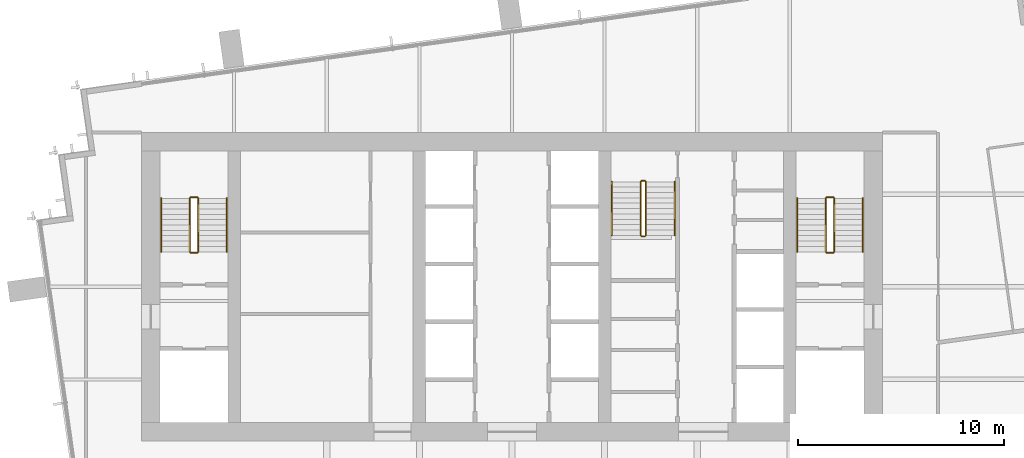
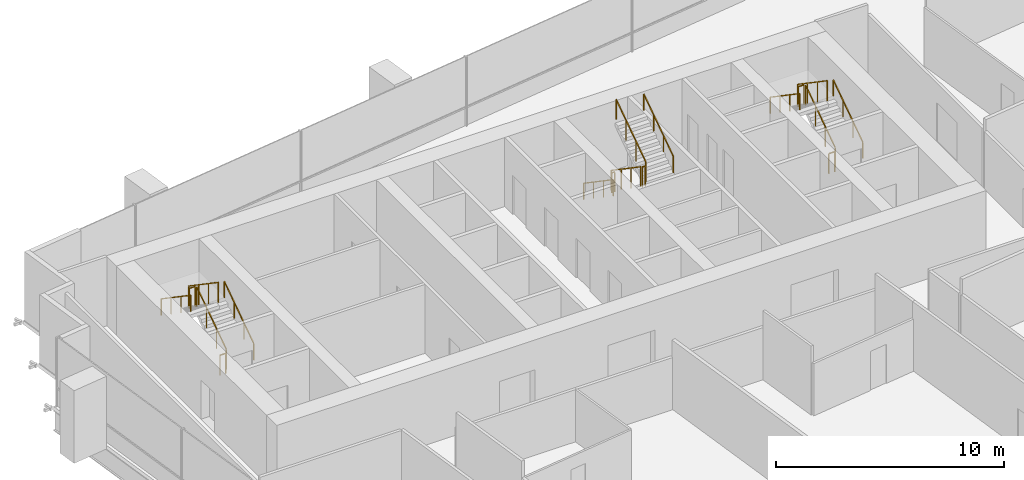
# One storey, part 13 of 13: 18 railings.
"""IFC4 building model written with IfcOpenShell, lengths in metres."""

from ifc_helpers import new_model, si_unit, direction, frame, origin, origin_2d, place, context, subcontext, project, spatial, rectangle, extrude, material, type_object, element, save


model = new_model("IFC4")

# Units and contexts
model_context = context("Model", 3, precision=1e-05, world=origin(), true_north=direction((0.0, 1.0)))
body_context = subcontext(model_context, "Body", "Model", "MODEL_VIEW")
ifc_project = project(units=[si_unit("LENGTHUNIT", "METRE"), si_unit("AREAUNIT", "SQUARE_METRE"), si_unit("VOLUMEUNIT", "CUBIC_METRE"), si_unit("PLANEANGLEUNIT", "RADIAN"), si_unit("MASSUNIT", "GRAM", prefix="KILO")], contexts=[model_context])

# Site, building, storey
site_placement = place(None, origin())
site = spatial("IfcSite", under=ifc_project, at=site_placement, CompositionType="ELEMENT")
building_placement = place(site_placement, origin())
building = spatial("IfcBuilding", under=site, at=building_placement, Name="Rattan Terrace Tower", CompositionType="ELEMENT")
storey_placement = place(building_placement, frame((0.0, 0.0, 240.800048828125)))
storey = spatial("IfcBuildingStorey", under=building, at=storey_placement, Name="L55", CompositionType="ELEMENT", Elevation=240.800048828125)

# Railings
ifc_material_1 = material(Name="Powder-coated steel guard", Category="steel")
railing_type_1 = type_object("IfcRailingType", Name="Core stair guard", PredefinedType="GUARDRAIL", material=ifc_material_1)
railing_1_placement = place(storey_placement, frame((-15.25, 1.699951171875, 0.17724609375)))
element("IfcRailing", 1, at=railing_1_placement, inside=storey, type_object=railing_type_1, Name="L55 S1 stair guard 1", PredefinedType="GUARDRAIL", context=body_context, shape_type="SweptSolid", body=[
    extrude(rectangle(XDim=0.048095703125, YDim=0.048095703125, at=origin_2d()), frame((0.0, 0.0, 1.076171875), z_axis=(0.0, 0.826240473404, 0.563317565952), x_axis=(-1.0, 0.0, 0.0)), (0.0, 0.0, 1.0), 3.14697265625),
    extrude(rectangle(XDim=0.0419921875, YDim=0.0419921875, at=origin_2d()), origin(), (0.0, 0.0, 1.0), 1.052001953125),
    extrude(rectangle(XDim=0.0419921875, YDim=0.0419921875, at=origin_2d()), frame((0.0, 0.86669921875, 0.5908203125)), (0.0, 0.0, 1.0), 1.052001953125),
    extrude(rectangle(XDim=0.0419921875, YDim=0.0419921875, at=origin_2d()), frame((0.0, 1.7333984375, 1.181884765625)), (0.0, 0.0, 1.0), 1.052001953125),
    extrude(rectangle(XDim=0.0419921875, YDim=0.0419921875, at=origin_2d()), frame((0.0, 2.60009765625, 1.772705078125)), (0.0, 0.0, 1.0), 1.052001953125),
])
railing_2_placement = place(storey_placement, frame((-15.300048828125, 4.35009765625, 1.949951171875)))
element("IfcRailing", 2, at=railing_2_placement, inside=storey, type_object=railing_type_1, Name="L55 S1 stair guard 2", PredefinedType="GUARDRAIL", context=body_context, shape_type="SweptSolid", body=[
    extrude(rectangle(XDim=0.048095703125, YDim=0.048095703125, at=origin_2d()), frame((0.0, 0.0, 1.076171875), z_axis=(-1.0, 0.0, 0.0), x_axis=(0.0, -1.0, 0.0)), (0.0, 0.0, 1.0), 0.300048828125),
    extrude(rectangle(XDim=0.0419921875, YDim=0.0419921875, at=origin_2d()), origin(), (0.0, 0.0, 1.0), 1.052001953125),
    extrude(rectangle(XDim=0.0419921875, YDim=0.0419921875, at=origin_2d()), frame((-0.300048828125, 0.0, 0.0)), (0.0, 0.0, 1.0), 1.052001953125),
])
railing_3_placement = place(storey_placement, frame((-15.64990234375, 4.300048828125, 2.127197265625)))
element("IfcRailing", 3, at=railing_3_placement, inside=storey, type_object=railing_type_1, Name="L55 S1 stair guard 3", PredefinedType="GUARDRAIL", context=body_context, shape_type="SweptSolid", body=[
    extrude(rectangle(XDim=0.048095703125, YDim=0.048095703125, at=origin_2d()), frame((0.0, 0.0, 1.076171875), z_axis=(0.0, -0.826240473404, 0.563317565952), x_axis=(1.0, 0.0, 0.0)), (0.0, 0.0, 1.0), 3.14697265625),
    extrude(rectangle(XDim=0.0419921875, YDim=0.0419921875, at=origin_2d()), origin(), (0.0, 0.0, 1.0), 1.052001953125),
    extrude(rectangle(XDim=0.0419921875, YDim=0.0419921875, at=origin_2d()), frame((0.0, -0.86669921875, 0.5908203125)), (0.0, 0.0, 1.0), 1.052001953125),
    extrude(rectangle(XDim=0.0419921875, YDim=0.0419921875, at=origin_2d()), frame((0.0, -1.7333984375, 1.181884765625)), (0.0, 0.0, 1.0), 1.052001953125),
    extrude(rectangle(XDim=0.0419921875, YDim=0.0419921875, at=origin_2d()), frame((0.0, -2.60009765625, 1.772705078125)), (0.0, 0.0, 1.0), 1.052001953125),
])
railing_4_placement = place(storey_placement, frame((-15.300048828125, 1.64990234375, 0.0)))
element("IfcRailing", 4, at=railing_4_placement, inside=storey, type_object=railing_type_1, Name="L55 S1 stair guard 4", PredefinedType="GUARDRAIL", context=body_context, shape_type="SweptSolid", body=[
    extrude(rectangle(XDim=0.048095703125, YDim=0.048095703125, at=origin_2d()), frame((0.0, 0.0, 1.076171875), z_axis=(-1.0, 0.0, 0.0), x_axis=(0.0, -1.0, 0.0)), (0.0, 0.0, 1.0), 0.300048828125),
    extrude(rectangle(XDim=0.0419921875, YDim=0.0419921875, at=origin_2d()), origin(), (0.0, 0.0, 1.0), 1.052001953125),
    extrude(rectangle(XDim=0.0419921875, YDim=0.0419921875, at=origin_2d()), frame((-0.300048828125, 0.0, 0.0)), (0.0, 0.0, 1.0), 1.052001953125),
])
railing_5_placement = place(storey_placement, frame((15.64990234375, 1.699951171875, 0.17724609375)))
element("IfcRailing", 5, at=railing_5_placement, inside=storey, type_object=railing_type_1, Name="L55 S2 stair guard 1", PredefinedType="GUARDRAIL", context=body_context, shape_type="SweptSolid", body=[
    extrude(rectangle(XDim=0.048095703125, YDim=0.048095703125, at=origin_2d()), frame((0.0, 0.0, 1.076171875), z_axis=(0.0, 0.826240473404, 0.563317565952), x_axis=(-1.0, 0.0, 0.0)), (0.0, 0.0, 1.0), 3.14697265625),
    extrude(rectangle(XDim=0.0419921875, YDim=0.0419921875, at=origin_2d()), origin(), (0.0, 0.0, 1.0), 1.052001953125),
    extrude(rectangle(XDim=0.0419921875, YDim=0.0419921875, at=origin_2d()), frame((0.0, 0.86669921875, 0.5908203125)), (0.0, 0.0, 1.0), 1.052001953125),
    extrude(rectangle(XDim=0.0419921875, YDim=0.0419921875, at=origin_2d()), frame((0.0, 1.7333984375, 1.181884765625)), (0.0, 0.0, 1.0), 1.052001953125),
    extrude(rectangle(XDim=0.0419921875, YDim=0.0419921875, at=origin_2d()), frame((0.0, 2.60009765625, 1.772705078125)), (0.0, 0.0, 1.0), 1.052001953125),
])
railing_6_placement = place(storey_placement, frame((15.60009765625, 4.35009765625, 1.949951171875)))
element("IfcRailing", 6, at=railing_6_placement, inside=storey, type_object=railing_type_1, Name="L55 S2 stair guard 2", PredefinedType="GUARDRAIL", context=body_context, shape_type="SweptSolid", body=[
    extrude(rectangle(XDim=0.048095703125, YDim=0.048095703125, at=origin_2d()), frame((0.0, 0.0, 1.076171875), z_axis=(-1.0, 0.0, 0.0), x_axis=(0.0, -1.0, 0.0)), (0.0, 0.0, 1.0), 0.300048828125),
    extrude(rectangle(XDim=0.0419921875, YDim=0.0419921875, at=origin_2d()), origin(), (0.0, 0.0, 1.0), 1.052001953125),
    extrude(rectangle(XDim=0.0419921875, YDim=0.0419921875, at=origin_2d()), frame((-0.300048828125, 0.0, 0.0)), (0.0, 0.0, 1.0), 1.052001953125),
])
railing_7_placement = place(storey_placement, frame((15.25, 4.300048828125, 2.127197265625)))
element("IfcRailing", 7, at=railing_7_placement, inside=storey, type_object=railing_type_1, Name="L55 S2 stair guard 3", PredefinedType="GUARDRAIL", context=body_context, shape_type="SweptSolid", body=[
    extrude(rectangle(XDim=0.048095703125, YDim=0.048095703125, at=origin_2d()), frame((0.0, 0.0, 1.076171875), z_axis=(0.0, -0.826240473404, 0.563317565952), x_axis=(1.0, 0.0, 0.0)), (0.0, 0.0, 1.0), 3.14697265625),
    extrude(rectangle(XDim=0.0419921875, YDim=0.0419921875, at=origin_2d()), origin(), (0.0, 0.0, 1.0), 1.052001953125),
    extrude(rectangle(XDim=0.0419921875, YDim=0.0419921875, at=origin_2d()), frame((0.0, -0.86669921875, 0.5908203125)), (0.0, 0.0, 1.0), 1.052001953125),
    extrude(rectangle(XDim=0.0419921875, YDim=0.0419921875, at=origin_2d()), frame((0.0, -1.7333984375, 1.181884765625)), (0.0, 0.0, 1.0), 1.052001953125),
    extrude(rectangle(XDim=0.0419921875, YDim=0.0419921875, at=origin_2d()), frame((0.0, -2.60009765625, 1.772705078125)), (0.0, 0.0, 1.0), 1.052001953125),
])
railing_8_placement = place(storey_placement, frame((15.60009765625, 1.64990234375, 0.0)))
element("IfcRailing", 8, at=railing_8_placement, inside=storey, type_object=railing_type_1, Name="L55 S2 stair guard 4", PredefinedType="GUARDRAIL", context=body_context, shape_type="SweptSolid", body=[
    extrude(rectangle(XDim=0.048095703125, YDim=0.048095703125, at=origin_2d()), frame((0.0, 0.0, 1.076171875), z_axis=(-1.0, 0.0, 0.0), x_axis=(0.0, -1.0, 0.0)), (0.0, 0.0, 1.0), 0.300048828125),
    extrude(rectangle(XDim=0.0419921875, YDim=0.0419921875, at=origin_2d()), origin(), (0.0, 0.0, 1.0), 1.052001953125),
    extrude(rectangle(XDim=0.0419921875, YDim=0.0419921875, at=origin_2d()), frame((-0.300048828125, 0.0, 0.0)), (0.0, 0.0, 1.0), 1.052001953125),
])
railing_9_placement = place(storey_placement, frame((6.25, 5.10009765625, 0.17724609375)))
element("IfcRailing", 9, at=railing_9_placement, inside=storey, type_object=railing_type_1, Name="L55 S3 stair guard 1", PredefinedType="GUARDRAIL", context=body_context, shape_type="SweptSolid", body=[
    extrude(rectangle(XDim=0.048095703125, YDim=0.048095703125, at=origin_2d()), frame((0.0, 0.0, 1.076171875), z_axis=(0.0, -0.826240473404, 0.563317565952), x_axis=(1.0, 0.0, 0.0)), (0.0, 0.0, 1.0), 3.14697265625),
    extrude(rectangle(XDim=0.0419921875, YDim=0.0419921875, at=origin_2d()), origin(), (0.0, 0.0, 1.0), 1.052001953125),
    extrude(rectangle(XDim=0.0419921875, YDim=0.0419921875, at=origin_2d()), frame((0.0, -0.86669921875, 0.5908203125)), (0.0, 0.0, 1.0), 1.052001953125),
    extrude(rectangle(XDim=0.0419921875, YDim=0.0419921875, at=origin_2d()), frame((0.0, -1.7333984375, 1.181884765625)), (0.0, 0.0, 1.0), 1.052001953125),
    extrude(rectangle(XDim=0.0419921875, YDim=0.0419921875, at=origin_2d()), frame((0.0, -2.60009765625, 1.772705078125)), (0.0, 0.0, 1.0), 1.052001953125),
])
railing_10_placement = place(storey_placement, frame((6.300048828125, 2.449951171875, 1.949951171875)))
element("IfcRailing", 10, at=railing_10_placement, inside=storey, type_object=railing_type_1, Name="L55 S3 stair guard 2", PredefinedType="GUARDRAIL", context=body_context, shape_type="SweptSolid", body=[
    extrude(rectangle(XDim=0.048095703125, YDim=0.048095703125, at=origin_2d()), frame((0.0, 0.0, 1.076171875), z_axis=(1.0, 0.0, 0.0), x_axis=(0.0, 1.0, 0.0)), (0.0, 0.0, 1.0), 0.14990234375),
    extrude(rectangle(XDim=0.0419921875, YDim=0.0419921875, at=origin_2d()), origin(), (0.0, 0.0, 1.0), 1.052001953125),
    extrude(rectangle(XDim=0.0419921875, YDim=0.0419921875, at=origin_2d()), frame((0.14990234375, 0.0, 0.0)), (0.0, 0.0, 1.0), 1.052001953125),
])
railing_11_placement = place(storey_placement, frame((6.5, 2.5, 2.127197265625)))
element("IfcRailing", 11, at=railing_11_placement, inside=storey, type_object=railing_type_1, Name="L55 S3 stair guard 3", PredefinedType="GUARDRAIL", context=body_context, shape_type="SweptSolid", body=[
    extrude(rectangle(XDim=0.048095703125, YDim=0.048095703125, at=origin_2d()), frame((0.0, 0.0, 1.076171875), z_axis=(0.0, 0.826240473404, 0.563317565952), x_axis=(-1.0, 0.0, 0.0)), (0.0, 0.0, 1.0), 3.14697265625),
    extrude(rectangle(XDim=0.0419921875, YDim=0.0419921875, at=origin_2d()), origin(), (0.0, 0.0, 1.0), 1.052001953125),
    extrude(rectangle(XDim=0.0419921875, YDim=0.0419921875, at=origin_2d()), frame((0.0, 0.86669921875, 0.5908203125)), (0.0, 0.0, 1.0), 1.052001953125),
    extrude(rectangle(XDim=0.0419921875, YDim=0.0419921875, at=origin_2d()), frame((0.0, 1.7333984375, 1.181884765625)), (0.0, 0.0, 1.0), 1.052001953125),
    extrude(rectangle(XDim=0.0419921875, YDim=0.0419921875, at=origin_2d()), frame((0.0, 2.60009765625, 1.772705078125)), (0.0, 0.0, 1.0), 1.052001953125),
])
railing_12_placement = place(storey_placement, frame((6.300048828125, 5.14990234375, 0.0)))
element("IfcRailing", 12, at=railing_12_placement, inside=storey, type_object=railing_type_1, Name="L55 S3 stair guard 4", PredefinedType="GUARDRAIL", context=body_context, shape_type="SweptSolid", body=[
    extrude(rectangle(XDim=0.048095703125, YDim=0.048095703125, at=origin_2d()), frame((0.0, 0.0, 1.076171875), z_axis=(1.0, 0.0, 0.0), x_axis=(0.0, 1.0, 0.0)), (0.0, 0.0, 1.0), 0.14990234375),
    extrude(rectangle(XDim=0.0419921875, YDim=0.0419921875, at=origin_2d()), origin(), (0.0, 0.0, 1.0), 1.052001953125),
    extrude(rectangle(XDim=0.0419921875, YDim=0.0419921875, at=origin_2d()), frame((0.14990234375, 0.0, 0.0)), (0.0, 0.0, 1.0), 1.052001953125),
])
ifc_material_2 = material(Name="Powder-coated steel handrail", Category="steel")
railing_type_2 = type_object("IfcRailingType", Name="Core stair handrail", PredefinedType="HANDRAIL", material=ifc_material_2)
railing_13_placement = place(storey_placement, frame((-13.85009765625, 1.699951171875, 0.17724609375)))
element("IfcRailing", 13, at=railing_13_placement, inside=storey, type_object=railing_type_2, Name="L55 S1 stair handrail 1", PredefinedType="HANDRAIL", context=body_context, shape_type="SweptSolid", body=[
    extrude(rectangle(XDim=0.048095703125, YDim=0.048095703125, at=origin_2d()), frame((0.0, 0.0, 0.8759765625), z_axis=(0.0, 0.826240473404, 0.563317565952), x_axis=(-1.0, 0.0, 0.0)), (0.0, 0.0, 1.0), 3.14697265625),
    extrude(rectangle(XDim=0.0419921875, YDim=0.0419921875, at=origin_2d()), origin(), (0.0, 0.0, 1.0), 0.851806640625),
    extrude(rectangle(XDim=0.0419921875, YDim=0.0419921875, at=origin_2d()), frame((0.0, 0.86669921875, 0.5908203125)), (0.0, 0.0, 1.0), 0.851806640625),
    extrude(rectangle(XDim=0.0419921875, YDim=0.0419921875, at=origin_2d()), frame((0.0, 1.7333984375, 1.181884765625)), (0.0, 0.0, 1.0), 0.851806640625),
    extrude(rectangle(XDim=0.0419921875, YDim=0.0419921875, at=origin_2d()), frame((0.0, 2.60009765625, 1.772705078125)), (0.0, 0.0, 1.0), 0.851806640625),
])
railing_14_placement = place(storey_placement, frame((-17.050048828125, 4.300048828125, 2.127197265625)))
element("IfcRailing", 14, at=railing_14_placement, inside=storey, type_object=railing_type_2, Name="L55 S1 stair handrail 2", PredefinedType="HANDRAIL", context=body_context, shape_type="SweptSolid", body=[
    extrude(rectangle(XDim=0.048095703125, YDim=0.048095703125, at=origin_2d()), frame((0.0, 0.0, 0.8759765625), z_axis=(0.0, -0.826240473404, 0.563317565952), x_axis=(1.0, 0.0, 0.0)), (0.0, 0.0, 1.0), 3.14697265625),
    extrude(rectangle(XDim=0.0419921875, YDim=0.0419921875, at=origin_2d()), origin(), (0.0, 0.0, 1.0), 0.851806640625),
    extrude(rectangle(XDim=0.0419921875, YDim=0.0419921875, at=origin_2d()), frame((0.0, -0.86669921875, 0.5908203125)), (0.0, 0.0, 1.0), 0.851806640625),
    extrude(rectangle(XDim=0.0419921875, YDim=0.0419921875, at=origin_2d()), frame((0.0, -1.7333984375, 1.181884765625)), (0.0, 0.0, 1.0), 0.851806640625),
    extrude(rectangle(XDim=0.0419921875, YDim=0.0419921875, at=origin_2d()), frame((0.0, -2.60009765625, 1.772705078125)), (0.0, 0.0, 1.0), 0.851806640625),
])
railing_15_placement = place(storey_placement, frame((17.050048828125, 1.699951171875, 0.17724609375)))
element("IfcRailing", 15, at=railing_15_placement, inside=storey, type_object=railing_type_2, Name="L55 S2 stair handrail 1", PredefinedType="HANDRAIL", context=body_context, shape_type="SweptSolid", body=[
    extrude(rectangle(XDim=0.048095703125, YDim=0.048095703125, at=origin_2d()), frame((0.0, 0.0, 0.8759765625), z_axis=(0.0, 0.826240473404, 0.563317565952), x_axis=(-1.0, 0.0, 0.0)), (0.0, 0.0, 1.0), 3.14697265625),
    extrude(rectangle(XDim=0.0419921875, YDim=0.0419921875, at=origin_2d()), origin(), (0.0, 0.0, 1.0), 0.851806640625),
    extrude(rectangle(XDim=0.0419921875, YDim=0.0419921875, at=origin_2d()), frame((0.0, 0.86669921875, 0.5908203125)), (0.0, 0.0, 1.0), 0.851806640625),
    extrude(rectangle(XDim=0.0419921875, YDim=0.0419921875, at=origin_2d()), frame((0.0, 1.7333984375, 1.181884765625)), (0.0, 0.0, 1.0), 0.851806640625),
    extrude(rectangle(XDim=0.0419921875, YDim=0.0419921875, at=origin_2d()), frame((0.0, 2.60009765625, 1.772705078125)), (0.0, 0.0, 1.0), 0.851806640625),
])
for number, where, name in (
    (16, (13.85009765625, 4.300048828125, 2.127197265625), "L55 S2 stair handrail 2"),
    (17, (4.85009765625, 5.10009765625, 0.17724609375), "L55 S3 stair handrail 1"),
):
    element("IfcRailing", number, at=place(storey_placement, frame(where)), inside=storey, type_object=railing_type_2, Name=name, PredefinedType="HANDRAIL", context=body_context, shape_type="SweptSolid", body=[
        extrude(rectangle(XDim=0.048095703125, YDim=0.048095703125, at=origin_2d()), frame((0.0, 0.0, 0.8759765625), z_axis=(0.0, -0.826240473404, 0.563317565952), x_axis=(1.0, 0.0, 0.0)), (0.0, 0.0, 1.0), 3.14697265625),
        extrude(rectangle(XDim=0.0419921875, YDim=0.0419921875, at=origin_2d()), origin(), (0.0, 0.0, 1.0), 0.851806640625),
        extrude(rectangle(XDim=0.0419921875, YDim=0.0419921875, at=origin_2d()), frame((0.0, -0.86669921875, 0.5908203125)), (0.0, 0.0, 1.0), 0.851806640625),
        extrude(rectangle(XDim=0.0419921875, YDim=0.0419921875, at=origin_2d()), frame((0.0, -1.7333984375, 1.181884765625)), (0.0, 0.0, 1.0), 0.851806640625),
        extrude(rectangle(XDim=0.0419921875, YDim=0.0419921875, at=origin_2d()), frame((0.0, -2.60009765625, 1.772705078125)), (0.0, 0.0, 1.0), 0.851806640625),
    ])
railing_16_placement = place(storey_placement, frame((7.89990234375, 2.5, 2.127197265625)))
element("IfcRailing", 18, at=railing_16_placement, inside=storey, type_object=railing_type_2, Name="L55 S3 stair handrail 2", PredefinedType="HANDRAIL", context=body_context, shape_type="SweptSolid", body=[
    extrude(rectangle(XDim=0.048095703125, YDim=0.048095703125, at=origin_2d()), frame((0.0, 0.0, 0.8759765625), z_axis=(0.0, 0.826240473404, 0.563317565952), x_axis=(-1.0, 0.0, 0.0)), (0.0, 0.0, 1.0), 3.14697265625),
    extrude(rectangle(XDim=0.0419921875, YDim=0.0419921875, at=origin_2d()), origin(), (0.0, 0.0, 1.0), 0.851806640625),
    extrude(rectangle(XDim=0.0419921875, YDim=0.0419921875, at=origin_2d()), frame((0.0, 0.86669921875, 0.5908203125)), (0.0, 0.0, 1.0), 0.851806640625),
    extrude(rectangle(XDim=0.0419921875, YDim=0.0419921875, at=origin_2d()), frame((0.0, 1.7333984375, 1.181884765625)), (0.0, 0.0, 1.0), 0.851806640625),
    extrude(rectangle(XDim=0.0419921875, YDim=0.0419921875, at=origin_2d()), frame((0.0, 2.60009765625, 1.772705078125)), (0.0, 0.0, 1.0), 0.851806640625),
])

save(model, "model.ifc")
